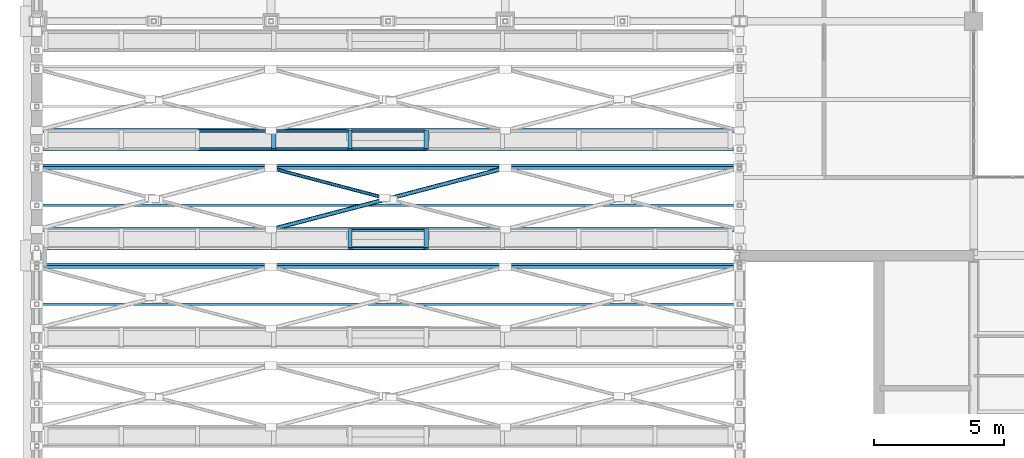
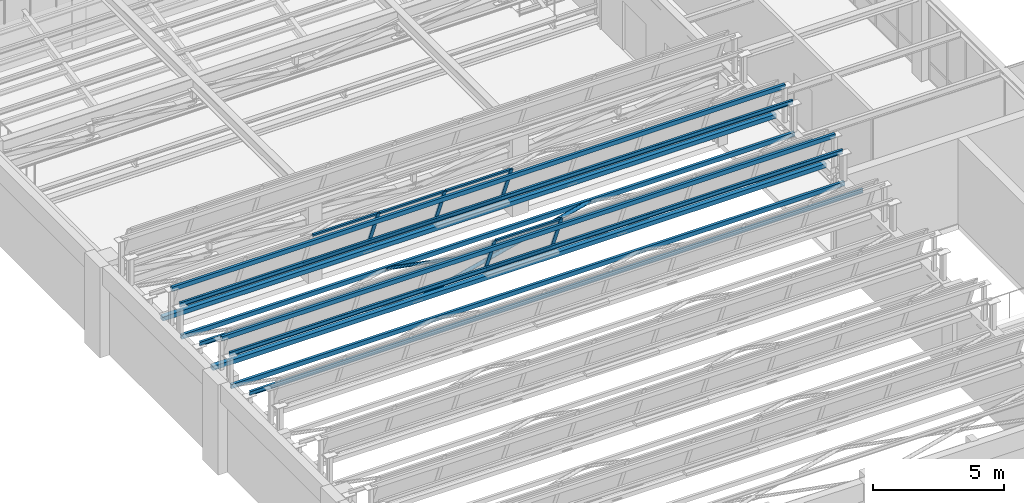
# One storey, part 22 of 108: 21 members, 4 beams, 2 elements without a shape of their own.
"""IFC4 building model written with IfcOpenShell, lengths in metres."""

from ifc_helpers import new_model, si_unit, direction, frame, origin, origin_2d, place, context, subcontext, project, spatial, hollow_rectangle, hollow_circle, i_section, extrude, material, material_profile, profile_set, type_object, element, aggregate, save


model = new_model("IFC4")

# Units and contexts
model_context = context("Model", 3, precision=1e-05, world=origin(), true_north=direction((0.0, 1.0)))
body_context = subcontext(model_context, "Body", "Model", "MODEL_VIEW")
ifc_project = project(units=[si_unit("LENGTHUNIT", "METRE"), si_unit("AREAUNIT", "SQUARE_METRE"), si_unit("VOLUMEUNIT", "CUBIC_METRE"), si_unit("PLANEANGLEUNIT", "RADIAN"), si_unit("MASSUNIT", "GRAM", prefix="KILO")], contexts=[model_context])

# Site, building, storey
site_placement = place(None, origin())
site = spatial("IfcSite", under=ifc_project, at=site_placement, CompositionType="ELEMENT")
building_placement = place(site_placement, origin())
building = spatial("IfcBuilding", under=site, at=building_placement, Name="Lykobir Media Centre", CompositionType="ELEMENT")
storey_placement = place(building_placement, frame((0.0, 0.0, 15.0)))
storey = spatial("IfcBuildingStorey", under=building, at=storey_placement, Name="L03", CompositionType="ELEMENT", Elevation=15.0)

# Members
ifc_material_1 = material(Name="Steel S355", Category="steel")
ifc_material_profile_1 = material_profile(ifc_material_1, hollow_circle(Radius=0.06982421875, WallThickness=0.008056640625, at=origin_2d()), Name="CHS 139.7x8.0")
ifc_profile_set_1 = profile_set([ifc_material_profile_1], Name="Steel S355")
member_type_1 = type_object("IfcMemberType", Name="BR-CHS140", PredefinedType="BRACE", material=ifc_profile_set_1)
member_1_placement = place(storey_placement, frame((13.364501953125, 20.216064453125, 3.840087890625), z_axis=(-0.967253715929, 0.253811443834, 0.0), x_axis=(-0.253811443834, -0.967253715929, 0.0)))
element("IfcMember", 1, at=member_1_placement, inside=storey, type_object=member_type_1, Name="Diagonal brace MEM2-L03-0134-0202-0188-0090-0214-0253", PredefinedType="BRACE", context=body_context, shape_type="SweptSolid", body=[
    extrude(hollow_circle(Radius=0.06982421875, WallThickness=0.008056640625, at=origin_2d()), origin(), (0.0, 0.0, 1.0), 4.51220703125),
])
ifc_material_profile_2 = material_profile(ifc_material_1, hollow_circle(Radius=0.084228515625, WallThickness=0.010009765625, at=origin_2d()), Name="CHS 168.3x10.0")
ifc_profile_set_2 = profile_set([ifc_material_profile_2], Name="Steel S355")
member_type_2 = type_object("IfcMemberType", Name="BR-CHS168", PredefinedType="BRACE", material=ifc_profile_set_2)
member_2_placement = place(storey_placement, frame((9.0, 19.0, 3.840087890625), z_axis=(0.967261887678, 0.253780299957, 0.0), x_axis=(-0.253780299957, 0.967261887678, 0.0)))
element("IfcMember", 2, at=member_2_placement, inside=storey, type_object=member_type_2, Name="Diagonal brace MEM2-L03-0090-0190-0188-0180-0214-0251", PredefinedType="BRACE", context=body_context, shape_type="SweptSolid", body=[
    extrude(hollow_circle(Radius=0.084228515625, WallThickness=0.010009765625, at=origin_2d()), origin(), (0.0, 0.0, 1.0), 9.3046875),
])

# Curtain wall, members
ifc_material_2 = material(Name="Anodized Aluminium AW-6060", Category="aluminium")
curtain_wall_type = type_object("IfcCurtainWallType", Name="CW-NL-V1", PredefinedType="NOTDEFINED", material=ifc_material_2)
curtain_wall_1_placement = place(storey_placement, origin())
curtain_wall_1 = element("IfcCurtainWall", 3, at=curtain_wall_1_placement, inside=storey, type_object=curtain_wall_type, Name="Curtain wall CW-NL-V1-05", PredefinedType="NOTDEFINED")
ifc_material_profile_3 = material_profile(ifc_material_2, hollow_rectangle(XDim=0.070068359375, YDim=0.1650390625, WallThickness=0.00390625, at=origin_2d()), Name="ALU MULLION 70x165")
ifc_profile_set_3 = profile_set([ifc_material_profile_3], Name="Anodized Aluminium AW-6060")
member_type_3 = type_object("IfcMemberType", Name="CWM-165", PredefinedType="MULLION", material=ifc_profile_set_3)
member_3_placement = place(storey_placement, frame((12.03564453125, 19.0, 4.199951171875), z_axis=(0.0, -0.374591377287, 0.927190002137), x_axis=(0.0, 0.927190002137, 0.374591377287)))
member_3 = element("IfcMember", 4, at=member_3_placement, type_object=member_type_3, Name="CW-NL-V1-05 mullion 5", PredefinedType="MULLION", context=body_context, shape_type="SweptSolid", body=[
    extrude(hollow_rectangle(XDim=0.070068359375, YDim=0.1650390625, WallThickness=0.00390625, at=origin_2d()), origin(), (0.0, 0.0, 1.0), 1.918701171875),
])
member_4_placement = place(storey_placement, frame((14.96435546875, 19.0, 4.199951171875), z_axis=(0.0, -0.374591377287, 0.927190002137), x_axis=(0.0, 0.927190002137, 0.374591377287)))
member_4 = element("IfcMember", 5, at=member_4_placement, type_object=member_type_3, Name="CW-NL-V1-05 mullion 6", PredefinedType="MULLION", context=body_context, shape_type="SweptSolid", body=[
    extrude(hollow_rectangle(XDim=0.070068359375, YDim=0.1650390625, WallThickness=0.00390625, at=origin_2d()), origin(), (0.0, 0.0, 1.0), 1.918701171875),
])

curtain_wall_2_placement = place(storey_placement, origin())
curtain_wall_2 = element("IfcCurtainWall", 6, at=curtain_wall_2_placement, inside=storey, type_object=curtain_wall_type, Name="Curtain wall CW-NL-V1-06", PredefinedType="NOTDEFINED")
member_5_placement = place(storey_placement, frame((9.106689453125, 22.800048828125, 4.199951171875), z_axis=(0.0, -0.374591377287, 0.927190002137), x_axis=(0.0, 0.927190002137, 0.374591377287)))
member_5 = element("IfcMember", 7, at=member_5_placement, type_object=member_type_3, Name="CW-NL-V1-06 mullion 4", PredefinedType="MULLION", context=body_context, shape_type="SweptSolid", body=[
    extrude(hollow_rectangle(XDim=0.070068359375, YDim=0.1650390625, WallThickness=0.00390625, at=origin_2d()), origin(), (0.0, 0.0, 1.0), 1.918701171875),
])
member_6_placement = place(storey_placement, frame((12.03564453125, 22.800048828125, 4.199951171875), z_axis=(0.0, -0.374591377287, 0.927190002137), x_axis=(0.0, 0.927190002137, 0.374591377287)))
member_6 = element("IfcMember", 8, at=member_6_placement, type_object=member_type_3, Name="CW-NL-V1-06 mullion 5", PredefinedType="MULLION", context=body_context, shape_type="SweptSolid", body=[
    extrude(hollow_rectangle(XDim=0.070068359375, YDim=0.1650390625, WallThickness=0.00390625, at=origin_2d()), origin(), (0.0, 0.0, 1.0), 1.918701171875),
])
member_7_placement = place(storey_placement, frame((14.96435546875, 22.800048828125, 4.199951171875), z_axis=(0.0, -0.374591377287, 0.927190002137), x_axis=(0.0, 0.927190002137, 0.374591377287)))
member_7 = element("IfcMember", 9, at=member_7_placement, type_object=member_type_3, Name="CW-NL-V1-06 mullion 6", PredefinedType="MULLION", context=body_context, shape_type="SweptSolid", body=[
    extrude(hollow_rectangle(XDim=0.070068359375, YDim=0.1650390625, WallThickness=0.00390625, at=origin_2d()), origin(), (0.0, 0.0, 1.0), 1.918701171875),
])

# Member
ifc_material_profile_4 = material_profile(ifc_material_2, hollow_rectangle(XDim=0.070068359375, YDim=0.135009765625, WallThickness=0.00341796875, at=origin_2d()), Name="ALU TRANSOM 70x135")
ifc_profile_set_4 = profile_set([ifc_material_profile_4], Name="Anodized Aluminium AW-6060")
member_type_4 = type_object("IfcMemberType", Name="CWT-135", PredefinedType="USERDEFINED", material=ifc_profile_set_4)
member_8_placement = place(storey_placement, frame((12.070556640625, 18.98681640625, 4.232421875), z_axis=(1.0, 0.0, 0.0), x_axis=(0.0, 0.927183854567, 0.374606593416)))
member_8 = element("IfcMember", 10, at=member_8_placement, type_object=member_type_4, Name="CW-NL-V1-05 transom 5.1", ObjectType="TRANSOM", PredefinedType="USERDEFINED", context=body_context, shape_type="SweptSolid", body=[
    extrude(hollow_rectangle(XDim=0.070068359375, YDim=0.135009765625, WallThickness=0.00341796875, at=origin_2d()), origin(), (0.0, 0.0, 1.0), 2.85888671875),
])

member_9_placement = place(storey_placement, frame((12.070556640625, 18.29443359375, 5.946533203125), z_axis=(1.0, 0.0, 0.0), x_axis=(0.0, 0.927183854567, 0.374606593416)))
member_9 = element("IfcMember", 11, at=member_9_placement, type_object=member_type_4, Name="CW-NL-V1-05 transom 5.2", ObjectType="TRANSOM", PredefinedType="USERDEFINED", context=body_context, shape_type="SweptSolid", body=[
    extrude(hollow_rectangle(XDim=0.070068359375, YDim=0.135009765625, WallThickness=0.00341796875, at=origin_2d()), origin(), (0.0, 0.0, 1.0), 2.85888671875),
])

aggregate(curtain_wall_1, [member_3, member_4, member_8, member_9])

member_10_placement = place(storey_placement, frame((6.212890625, 22.786865234375, 4.232421875), z_axis=(1.0, 0.0, 0.0), x_axis=(0.0, 0.927183854567, 0.374606593416)))
member_10 = element("IfcMember", 12, at=member_10_placement, type_object=member_type_4, Name="CW-NL-V1-06 transom 3.1", ObjectType="TRANSOM", PredefinedType="USERDEFINED", context=body_context, shape_type="SweptSolid", body=[
    extrude(hollow_rectangle(XDim=0.070068359375, YDim=0.135009765625, WallThickness=0.00341796875, at=origin_2d()), origin(), (0.0, 0.0, 1.0), 2.85888671875),
])

member_11_placement = place(storey_placement, frame((6.212890625, 22.094482421875, 5.946533203125), z_axis=(1.0, 0.0, 0.0), x_axis=(0.0, 0.927183854567, 0.374606593416)))
member_11 = element("IfcMember", 13, at=member_11_placement, type_object=member_type_4, Name="CW-NL-V1-06 transom 3.2", ObjectType="TRANSOM", PredefinedType="USERDEFINED", context=body_context, shape_type="SweptSolid", body=[
    extrude(hollow_rectangle(XDim=0.070068359375, YDim=0.135009765625, WallThickness=0.00341796875, at=origin_2d()), origin(), (0.0, 0.0, 1.0), 2.85888671875),
])

member_12_placement = place(storey_placement, frame((9.1416015625, 22.786865234375, 4.232421875), z_axis=(1.0, 0.0, 0.0), x_axis=(0.0, 0.927183854567, 0.374606593416)))
member_12 = element("IfcMember", 14, at=member_12_placement, type_object=member_type_4, Name="CW-NL-V1-06 transom 4.1", ObjectType="TRANSOM", PredefinedType="USERDEFINED", context=body_context, shape_type="SweptSolid", body=[
    extrude(hollow_rectangle(XDim=0.070068359375, YDim=0.135009765625, WallThickness=0.00341796875, at=origin_2d()), origin(), (0.0, 0.0, 1.0), 2.85888671875),
])

member_13_placement = place(storey_placement, frame((9.1416015625, 22.094482421875, 5.946533203125), z_axis=(1.0, 0.0, 0.0), x_axis=(0.0, 0.927183854567, 0.374606593416)))
member_13 = element("IfcMember", 15, at=member_13_placement, type_object=member_type_4, Name="CW-NL-V1-06 transom 4.2", ObjectType="TRANSOM", PredefinedType="USERDEFINED", context=body_context, shape_type="SweptSolid", body=[
    extrude(hollow_rectangle(XDim=0.070068359375, YDim=0.135009765625, WallThickness=0.00341796875, at=origin_2d()), origin(), (0.0, 0.0, 1.0), 2.85888671875),
])

member_14_placement = place(storey_placement, frame((12.070556640625, 22.786865234375, 4.232421875), z_axis=(1.0, 0.0, 0.0), x_axis=(0.0, 0.927183854567, 0.374606593416)))
member_14 = element("IfcMember", 16, at=member_14_placement, type_object=member_type_4, Name="CW-NL-V1-06 transom 5.1", ObjectType="TRANSOM", PredefinedType="USERDEFINED", context=body_context, shape_type="SweptSolid", body=[
    extrude(hollow_rectangle(XDim=0.070068359375, YDim=0.135009765625, WallThickness=0.00341796875, at=origin_2d()), origin(), (0.0, 0.0, 1.0), 2.85888671875),
])

member_15_placement = place(storey_placement, frame((12.070556640625, 22.094482421875, 5.946533203125), z_axis=(1.0, 0.0, 0.0), x_axis=(0.0, 0.927183854567, 0.374606593416)))
member_15 = element("IfcMember", 17, at=member_15_placement, type_object=member_type_4, Name="CW-NL-V1-06 transom 5.2", ObjectType="TRANSOM", PredefinedType="USERDEFINED", context=body_context, shape_type="SweptSolid", body=[
    extrude(hollow_rectangle(XDim=0.070068359375, YDim=0.135009765625, WallThickness=0.00341796875, at=origin_2d()), origin(), (0.0, 0.0, 1.0), 2.85888671875),
])

aggregate(curtain_wall_2, [member_5, member_6, member_7, member_10, member_11, member_12, member_13, member_14, member_15])

# Beams
ifc_material_profile_5 = material_profile(ifc_material_1, i_section(OverallWidth=0.10009765625, OverallDepth=0.199951171875, WebThickness=0.005615234375, FlangeThickness=0.008544921875, at=origin_2d()), Name="IPE 200")
ifc_profile_set_5 = profile_set([ifc_material_profile_5], Name="Steel S355")
beam_type = type_object("IfcBeamType", Name="PR-IPE200", PredefinedType="JOIST", material=ifc_profile_set_5)
for number, where, z_axis, x_axis, name in (
    (18, (0.0, 16.127197265625, 4.372802734375), (1.0, 0.0, 0.0), (0.0, 1.0, 0.0), "Beam BM-L03-0000-0161-0270-0161-1937"),
    (19, (0.0, 17.66796875, 5.26220703125), (1.0, 0.0, 0.0), (0.0, 1.0, 0.0), "Beam BM-L03-0000-0177-0270-0177-2026"),
    (20, (0.0, 19.92724609375, 4.372802734375), (1.0, 0.0, 0.0), (0.0, 1.0, 0.0), "Beam BM-L03-0000-0199-0270-0199-1937"),
    (21, (0.0, 21.468017578125, 5.26220703125), (1.0, 0.0, 0.0), (0.0, 1.0, 0.0), "Beam BM-L03-0000-0215-0270-0215-2026"),
):
    element("IfcBeam", number, at=place(storey_placement, frame(where, z_axis=z_axis, x_axis=x_axis)), inside=storey, type_object=beam_type, Name=name, PredefinedType="JOIST", context=body_context, shape_type="SweptSolid", body=[
        extrude(i_section(OverallWidth=0.10009765625, OverallDepth=0.199951171875, WebThickness=0.005615234375, FlangeThickness=0.008544921875, at=origin_2d()), origin(), (0.0, 0.0, 1.0), 27.0),
    ])

# Members
ifc_material_profile_6 = material_profile(ifc_material_1, hollow_rectangle(XDim=0.1201171875, YDim=0.199951171875, WallThickness=0.010009765625, at=origin_2d()), Name="RHS 200x120x10")
ifc_profile_set_6 = profile_set([ifc_material_profile_6], Name="Steel S355")
member_type_5 = type_object("IfcMemberType", Name="TC-RHS200", PredefinedType="CHORD", material=ifc_profile_set_6)
for number, where, z_axis, x_axis, name in (
    (22, (0.0, 18.28125, 5.62890625), (1.0, 0.0, 0.0), (0.0, 1.0, 0.0), "Truss chord MEM2-L03-0000-0183-0206-0270-0183-0226"),
    (23, (0.0, 17.561279296875, 3.840087890625), (1.0, 0.0, 0.0), (0.0, 1.0, 0.0), "Truss chord MEM2-L03-0000-0176-0188-0270-0176-0227"),
    (24, (0.0, 22.081298828125, 5.62890625), (1.0, 0.0, 0.0), (0.0, 1.0, 0.0), "Truss chord MEM2-L03-0000-0221-0206-0270-0221-0246"),
    (25, (0.0, 21.361328125, 3.840087890625), (1.0, 0.0, 0.0), (0.0, 1.0, 0.0), "Truss chord MEM2-L03-0000-0214-0188-0270-0214-0247"),
):
    element("IfcMember", number, at=place(storey_placement, frame(where, z_axis=z_axis, x_axis=x_axis)), inside=storey, type_object=member_type_5, Name=name, PredefinedType="CHORD", context=body_context, shape_type="SweptSolid", body=[
        extrude(hollow_rectangle(XDim=0.1201171875, YDim=0.199951171875, WallThickness=0.010009765625, at=origin_2d()), origin(), (0.0, 0.0, 1.0), 27.0),
    ])
ifc_material_profile_7 = material_profile(ifc_material_1, hollow_rectangle(XDim=0.199951171875, YDim=0.199951171875, WallThickness=0.010009765625, at=origin_2d()), Name="SHS 200x200x10")
ifc_profile_set_7 = profile_set([ifc_material_profile_7], Name="Steel S355")
member_type_6 = type_object("IfcMemberType", Name="TC-SHS200", PredefinedType="CHORD", material=ifc_profile_set_7)
for number, where, z_axis, x_axis, name in (
    (26, (0.0, 19.0, 3.840087890625), (1.0, 0.0, 0.0), (0.0, 1.0, 0.0), "Truss chord MEM2-L03-0000-0190-0188-0270-0190-0241"),
    (27, (0.0, 22.800048828125, 3.840087890625), (1.0, 0.0, 0.0), (0.0, 1.0, 0.0), "Truss chord MEM2-L03-0000-0228-0188-0270-0228-0261"),
):
    element("IfcMember", number, at=place(storey_placement, frame(where, z_axis=z_axis, x_axis=x_axis)), inside=storey, type_object=member_type_6, Name=name, PredefinedType="CHORD", context=body_context, shape_type="SweptSolid", body=[
        extrude(hollow_rectangle(XDim=0.199951171875, YDim=0.199951171875, WallThickness=0.010009765625, at=origin_2d()), origin(), (0.0, 0.0, 1.0), 27.0),
    ])

save(model, "model.ifc")
